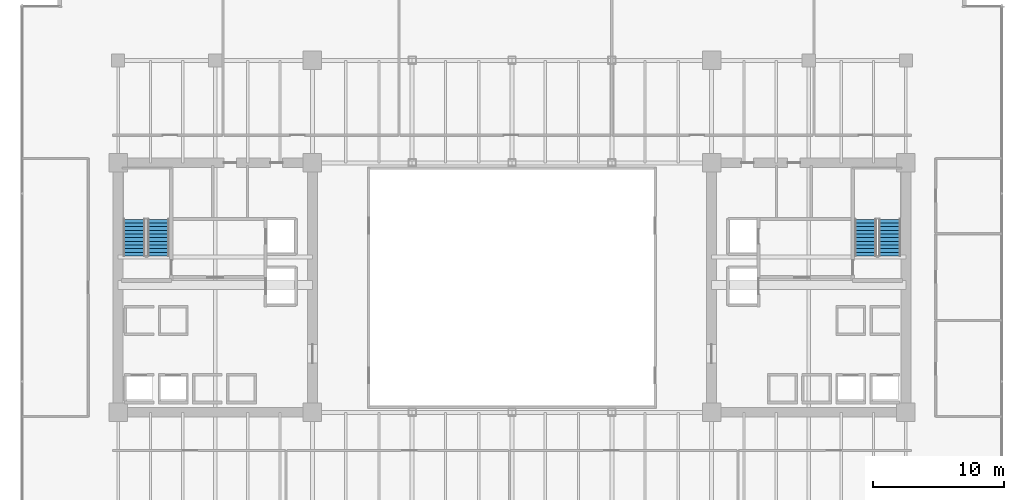
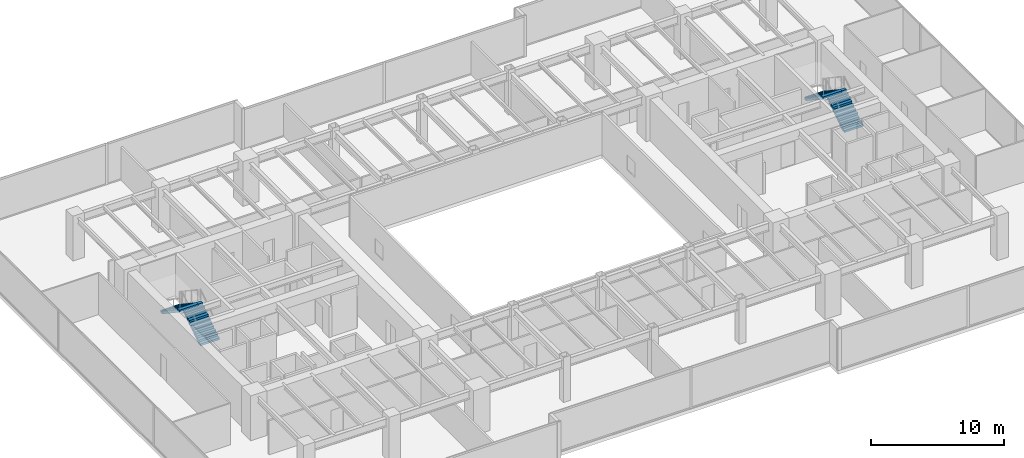
# One storey, part 33 of 35: 4 stair flights, 2 elements without a shape of their own.
"""IFC4 building model written with IfcOpenShell, lengths in metres."""

from ifc_helpers import new_model, si_unit, direction, frame, origin, place, context, subcontext, project, spatial, polyline, outline, extrude, source, transform, mapped, material, type_object, type_shapes, element, aggregate, save


model = new_model("IFC4")

# Units and contexts
model_context = context("Model", 3, precision=1e-05, world=origin(), true_north=direction((0.0, 1.0)))
body_context = subcontext(model_context, "Body", "Model", "MODEL_VIEW")
ifc_project = project(units=[si_unit("LENGTHUNIT", "METRE"), si_unit("AREAUNIT", "SQUARE_METRE"), si_unit("VOLUMEUNIT", "CUBIC_METRE"), si_unit("PLANEANGLEUNIT", "RADIAN"), si_unit("MASSUNIT", "GRAM", prefix="KILO")], contexts=[model_context])

# Site, building, storey
site_placement = place(None, origin())
site = spatial("IfcSite", under=ifc_project, at=site_placement, CompositionType="ELEMENT")
building_placement = place(site_placement, origin())
building = spatial("IfcBuilding", under=site, at=building_placement, Name="Haelvirn Gate Laboratories", CompositionType="ELEMENT")
storey_placement = place(building_placement, frame((0.0, 0.0, 70.300048828125)))
storey = spatial("IfcBuildingStorey", under=building, at=storey_placement, Name="L17", CompositionType="ELEMENT", Elevation=70.300048828125)

# Stair, stair flights
ifc_material = material(Name="Concrete C40/50", Category="concrete")
stair_type = type_object("IfcStairType", Name="ST-DOG-1650-R22", PredefinedType="HALF_TURN_STAIR", material=ifc_material)
stair_1_placement = place(storey_placement, origin())
stair_1 = element("IfcStair", 1, at=stair_1_placement, inside=storey, type_object=stair_type, Name="L17 Escape Stair ST1", PredefinedType="HALF_TURN_STAIR")
stair_flight_type = type_object("IfcStairFlightType", Name="STF-1650-R11", PredefinedType="STRAIGHT", material=ifc_material)
shared_shape = source(origin(), body_context, "Body", "SweptSolid", [
    extrude(outline(polyline([(0.0, 0.0), (0.0, 0.186279296875), (0.280029296875, 0.186279296875), (0.280029296875, 0.372802734375), (0.56005859375, 0.372802734375), (0.56005859375, 0.55908203125), (0.840087890625, 0.55908203125), (0.840087890625, 0.745361328125), (1.1201171875, 0.745361328125), (1.1201171875, 0.931884765625), (1.39990234375, 0.931884765625), (1.39990234375, 1.1181640625), (1.679931640625, 1.1181640625), (1.679931640625, 1.304443359375), (1.9599609375, 1.304443359375), (1.9599609375, 1.490966796875), (2.239990234375, 1.490966796875), (2.239990234375, 1.67724609375), (2.52001953125, 1.67724609375), (2.52001953125, 1.863525390625), (2.800048828125, 1.863525390625), (2.800048828125, 2.050048828125), (2.800048828125, 1.671630859375), (0.28857421875, 0.0), (0.0, 0.0)])), frame((0.0, 0.824951171875, 0.0), z_axis=(0.0, -1.0, 0.0), x_axis=(1.0, 0.0, 0.0)), (0.0, 0.0, 1.0), 1.64990234375),
])
type_shapes(stair_flight_type, [shared_shape])
stair_flight_1_placement = place(storey_placement, frame((10.47509765625, 26.699951171875, 0.0), z_axis=(0.0, 0.0, 1.0), x_axis=(0.0, 1.0, 0.0)))
stair_flight_1 = element("IfcStairFlight", 2, at=stair_flight_1_placement, type_object=stair_flight_type, Name="ST1 flight 1", NumberOfRisers=11, NumberOfTreads=10, PredefinedType="STRAIGHT", RiserHeight=0.186363636, TreadLength=0.28, context=body_context, shape_type="MappedRepresentation", body=[
    mapped(shared_shape, transform((0.0, 0.0, 0.0), scale=1.0)),
])
stair_flight_2_placement = place(storey_placement, frame((8.625, 29.5, 2.050048828125), z_axis=(0.0, 0.0, 1.0), x_axis=(0.0, -1.0, 0.0)))
stair_flight_2 = element("IfcStairFlight", 3, at=stair_flight_2_placement, type_object=stair_flight_type, Name="ST1 flight 2", NumberOfRisers=11, NumberOfTreads=10, PredefinedType="STRAIGHT", RiserHeight=0.186363636, TreadLength=0.28, context=body_context, shape_type="MappedRepresentation", body=[
    mapped(shared_shape, transform((0.0, 0.0, 0.0), scale=1.0)),
])
aggregate(stair_1, [stair_flight_1, stair_flight_2])

stair_2_placement = place(storey_placement, origin())
stair_2 = element("IfcStair", 4, at=stair_2_placement, inside=storey, type_object=stair_type, Name="L17 Escape Stair ST2", PredefinedType="HALF_TURN_STAIR")
stair_flight_3_placement = place(storey_placement, frame((66.175048828125, 26.699951171875, 0.0), z_axis=(0.0, 0.0, 1.0), x_axis=(0.0, 1.0, 0.0)))
stair_flight_3 = element("IfcStairFlight", 5, at=stair_flight_3_placement, type_object=stair_flight_type, Name="ST2 flight 1", NumberOfRisers=11, NumberOfTreads=10, PredefinedType="STRAIGHT", RiserHeight=0.186363636, TreadLength=0.28, context=body_context, shape_type="MappedRepresentation", body=[
    mapped(shared_shape, transform((0.0, 0.0, 0.0), scale=1.0)),
])
stair_flight_4_placement = place(storey_placement, frame((64.324951171875, 29.5, 2.050048828125), z_axis=(0.0, 0.0, 1.0), x_axis=(0.0, -1.0, 0.0)))
stair_flight_4 = element("IfcStairFlight", 6, at=stair_flight_4_placement, type_object=stair_flight_type, Name="ST2 flight 2", NumberOfRisers=11, NumberOfTreads=10, PredefinedType="STRAIGHT", RiserHeight=0.186363636, TreadLength=0.28, context=body_context, shape_type="MappedRepresentation", body=[
    mapped(shared_shape, transform((0.0, 0.0, 0.0), scale=1.0)),
])
aggregate(stair_2, [stair_flight_3, stair_flight_4])

save(model, "model.ifc")
